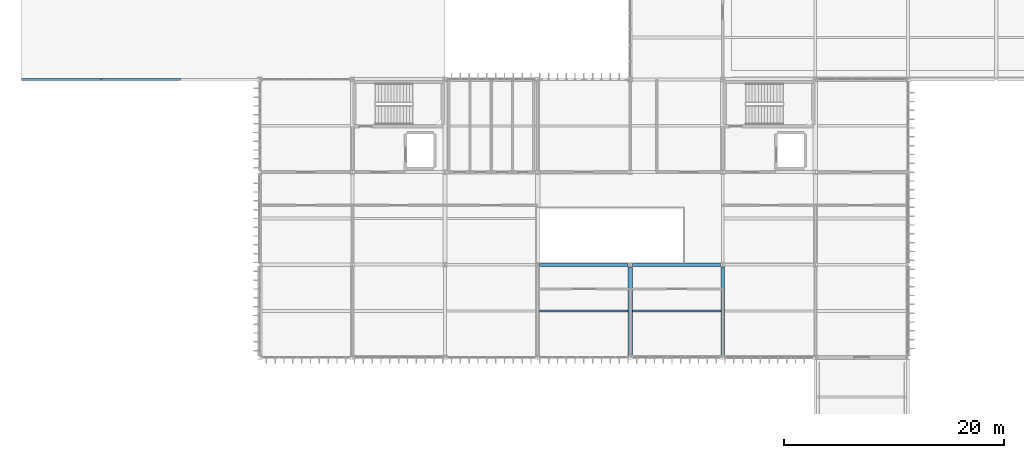
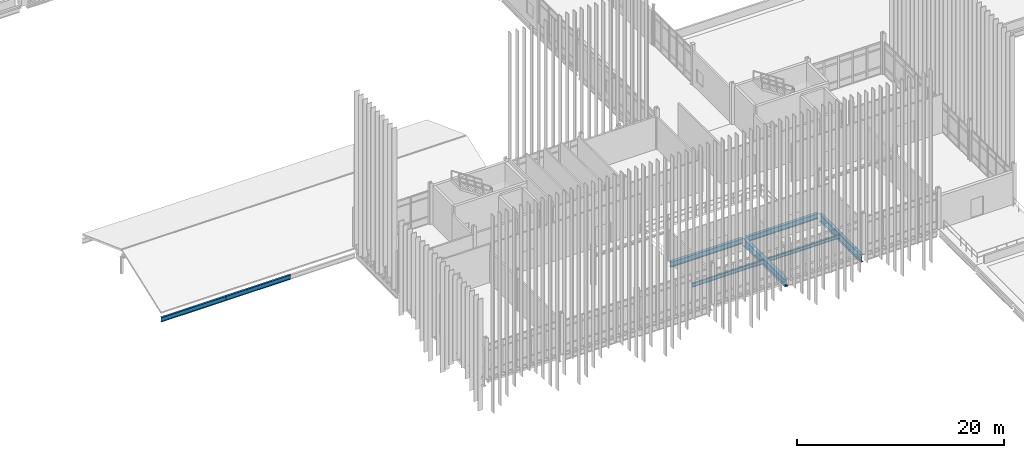
# One storey, part 23 of 153: 8 beams.
"""IFC4 building model written with IfcOpenShell, lengths in metres."""

from ifc_helpers import new_model, si_unit, direction, frame, origin, origin_2d, place, context, subcontext, project, spatial, i_section, extrude, material, material_profile, profile_set, type_object, element, save


model = new_model("IFC4")

# Units and contexts
model_context = context("Model", 3, precision=1e-05, world=origin(), true_north=direction((0.0, 1.0)))
body_context = subcontext(model_context, "Body", "Model", "MODEL_VIEW")
ifc_project = project(units=[si_unit("LENGTHUNIT", "METRE"), si_unit("AREAUNIT", "SQUARE_METRE"), si_unit("VOLUMEUNIT", "CUBIC_METRE"), si_unit("PLANEANGLEUNIT", "RADIAN"), si_unit("MASSUNIT", "GRAM", prefix="KILO")], contexts=[model_context])

# Site, building, storey
site_placement = place(None, origin())
site = spatial("IfcSite", under=ifc_project, at=site_placement, CompositionType="ELEMENT")
building_placement = place(site_placement, origin())
building = spatial("IfcBuilding", under=site, at=building_placement, Name="Calvrana Isthmian Art Gallery", CompositionType="ELEMENT")
storey_placement = place(building_placement, frame((0.0, 0.0, 10.199951171875)))
storey = spatial("IfcBuildingStorey", under=building, at=storey_placement, Name="L02", CompositionType="ELEMENT", Elevation=10.199951171875)

# Beams
ifc_material = material(Name="Steel ASTM A992 Gr 50", Category="steel")
ifc_material_profile_1 = material_profile(ifc_material, i_section(OverallWidth=0.208984375, OverallDepth=0.532958984375, WebThickness=0.01025390625, FlangeThickness=0.015625, FilletRadius=0.02099609375, at=origin_2d()), Name="W21X62")
ifc_profile_set_1 = profile_set([ifc_material_profile_1], Name="Steel ASTM A992 Gr 50")
beam_type_1 = type_object("IfcBeamType", Name="BM-G-W21X62", PredefinedType="BEAM", material=ifc_profile_set_1)
for number, where, z_axis, x_axis, name in (
    (1, (0.0, 46.800048828125, -0.820068359375), (1.0, 0.0, 0.0), (0.0, 1.0, 0.0), "Sloped roof rafter SROOF_V3_S-1"),
    (2, (7.199951171875, 46.800048828125, -0.820068359375), (1.0, 0.0, 0.0), (0.0, 1.0, 0.0), "Sloped roof rafter SROOF_V3_S-2"),
):
    element("IfcBeam", number, at=place(storey_placement, frame(where, z_axis=z_axis, x_axis=x_axis)), inside=storey, type_object=beam_type_1, Name=name, PredefinedType="BEAM", context=body_context, shape_type="SweptSolid", body=[
        extrude(i_section(OverallWidth=0.208984375, OverallDepth=0.532958984375, WebThickness=0.01025390625, FlangeThickness=0.015625, FilletRadius=0.02099609375, at=origin_2d()), origin(), (0.0, 0.0, 1.0), 7.199951171875),
    ])
ifc_material_profile_2 = material_profile(ifc_material, i_section(OverallWidth=0.324951171875, OverallDepth=0.612060546875, WebThickness=0.0126953125, FlangeThickness=0.01904296875, FilletRadius=0.02197265625, at=origin_2d()), Name="W24X104")
ifc_profile_set_2 = profile_set([ifc_material_profile_2], Name="Steel ASTM A992 Gr 50")
beam_type_2 = type_object("IfcBeamType", Name="BM-G-W24X104", PredefinedType="BEAM", material=ifc_profile_set_2)
beam_1_placement = place(storey_placement, frame((55.3994140625, 30.0, -0.571044921875), z_axis=(1.0, 0.0, 0.0), x_axis=(0.0, 1.0, 0.0)))
element("IfcBeam", 3, at=beam_1_placement, inside=storey, type_object=beam_type_2, Name="Girder X L02 08-09/E", PredefinedType="BEAM", context=body_context, shape_type="SweptSolid", body=[
    extrude(i_section(OverallWidth=0.324951171875, OverallDepth=0.612060546875, WebThickness=0.0126953125, FlangeThickness=0.01904296875, FilletRadius=0.02197265625, at=origin_2d()), origin(), (0.0, 0.0, 1.0), 8.002685546875),
])
ifc_material_profile_3 = material_profile(ifc_material, i_section(OverallWidth=0.327880859375, OverallDepth=0.6220703125, WebThickness=0.015380859375, FlangeThickness=0.0244140625, FilletRadius=0.02197265625, at=origin_2d()), Name="W24X131")
ifc_profile_set_3 = profile_set([ifc_material_profile_3], Name="Steel ASTM A992 Gr 50")
beam_type_3 = type_object("IfcBeamType", Name="BM-G-W24X131", PredefinedType="BEAM", material=ifc_profile_set_3)
beam_2_placement = place(storey_placement, frame((46.98388671875, 30.0, -0.575927734375), z_axis=(1.0, 0.0, 0.0), x_axis=(0.0, 1.0, 0.0)))
element("IfcBeam", 4, at=beam_2_placement, inside=storey, type_object=beam_type_3, Name="Girder X L02 07-08/E", PredefinedType="BEAM", context=body_context, shape_type="SweptSolid", body=[
    extrude(i_section(OverallWidth=0.327880859375, OverallDepth=0.6220703125, WebThickness=0.015380859375, FlangeThickness=0.0244140625, FilletRadius=0.02197265625, at=origin_2d()), origin(), (0.0, 0.0, 1.0), 8.0166015625),
])
ifc_material_profile_4 = material_profile(ifc_material, i_section(OverallWidth=0.40087890625, OverallDepth=0.85595703125, WebThickness=0.018310546875, FlangeThickness=0.029296875, FilletRadius=0.02587890625, at=origin_2d()), Name="W33X201")
ifc_profile_set_4 = profile_set([ifc_material_profile_4], Name="Steel ASTM A992 Gr 50")
beam_type_4 = type_object("IfcBeamType", Name="BM-G-W33X201", PredefinedType="BEAM", material=ifc_profile_set_4)
beam_3_placement = place(storey_placement, frame((55.199951171875, 21.79052734375, -0.69287109375), z_axis=(0.0, 1.0, 0.0), x_axis=(-1.0, 0.0, 0.0)))
element("IfcBeam", 5, at=beam_3_placement, inside=storey, type_object=beam_type_4, Name="Girder Y L02 08/D-E", PredefinedType="BEAM", context=body_context, shape_type="SweptSolid", body=[
    extrude(i_section(OverallWidth=0.40087890625, OverallDepth=0.85595703125, WebThickness=0.018310546875, FlangeThickness=0.029296875, FilletRadius=0.02587890625, at=origin_2d()), origin(), (0.0, 0.0, 1.0), 8.016357421875),
])
ifc_material_profile_5 = material_profile(ifc_material, i_section(OverallWidth=0.306884765625, OverallDepth=0.927001953125, WebThickness=0.019287109375, FlangeThickness=0.031982421875, FilletRadius=0.028076171875, at=origin_2d()), Name="W36X194")
ifc_profile_set_5 = profile_set([ifc_material_profile_5], Name="Steel ASTM A992 Gr 50")
beam_type_5 = type_object("IfcBeamType", Name="BM-G-W36X194", PredefinedType="BEAM", material=ifc_profile_set_5)
beam_4_placement = place(storey_placement, frame((63.60009765625, 21.7880859375, -0.728515625), z_axis=(0.0, 1.0, 0.0), x_axis=(-1.0, 0.0, 0.0)))
element("IfcBeam", 6, at=beam_4_placement, inside=storey, type_object=beam_type_5, Name="Girder Y L02 09/D-E", PredefinedType="BEAM", context=body_context, shape_type="SweptSolid", body=[
    extrude(i_section(OverallWidth=0.306884765625, OverallDepth=0.927001953125, WebThickness=0.019287109375, FlangeThickness=0.031982421875, FilletRadius=0.028076171875, at=origin_2d()), origin(), (0.0, 0.0, 1.0), 8.021484375),
])
ifc_material_profile_6 = material_profile(ifc_material, i_section(OverallWidth=0.179931640625, OverallDepth=0.4140625, WebThickness=0.009765625, FlangeThickness=0.01611328125, FilletRadius=0.01806640625, at=origin_2d()), Name="W16X50")
ifc_profile_set_6 = profile_set([ifc_material_profile_6], Name="Steel ASTM A992 Gr 50")
beam_type_6 = type_object("IfcBeamType", Name="BM-J-W16X50", PredefinedType="JOIST", material=ifc_profile_set_6)
beam_5_placement = place(storey_placement, frame((55.400390625, 25.800048828125, -0.471923828125), z_axis=(1.0, 0.0, 0.0), x_axis=(0.0, 1.0, 0.0)))
element("IfcBeam", 7, at=beam_5_placement, inside=storey, type_object=beam_type_6, Name="Composite joist L02 bay 07-03", PredefinedType="JOIST", context=body_context, shape_type="SweptSolid", body=[
    extrude(i_section(OverallWidth=0.179931640625, OverallDepth=0.4140625, WebThickness=0.009765625, FlangeThickness=0.01611328125, FilletRadius=0.01806640625, at=origin_2d()), origin(), (0.0, 0.0, 1.0), 8.046142578125),
])
ifc_material_profile_7 = material_profile(ifc_material, i_section(OverallWidth=0.19091796875, OverallDepth=0.45703125, WebThickness=0.009033203125, FlangeThickness=0.014404296875, FilletRadius=0.02001953125, at=origin_2d()), Name="W18X50")
ifc_profile_set_7 = profile_set([ifc_material_profile_7], Name="Steel ASTM A992 Gr 50")
beam_type_7 = type_object("IfcBeamType", Name="BM-J-W18X50", PredefinedType="JOIST", material=ifc_profile_set_7)
beam_6_placement = place(storey_placement, frame((46.990478515625, 25.800048828125, -0.493408203125), z_axis=(1.0, 0.0, 0.0), x_axis=(0.0, 1.0, 0.0)))
element("IfcBeam", 8, at=beam_6_placement, inside=storey, type_object=beam_type_7, Name="Composite joist L02 bay 06-03", PredefinedType="JOIST", context=body_context, shape_type="SweptSolid", body=[
    extrude(i_section(OverallWidth=0.19091796875, OverallDepth=0.45703125, WebThickness=0.009033203125, FlangeThickness=0.014404296875, FilletRadius=0.02001953125, at=origin_2d()), origin(), (0.0, 0.0, 1.0), 8.009033203125),
])

save(model, "model.ifc")
